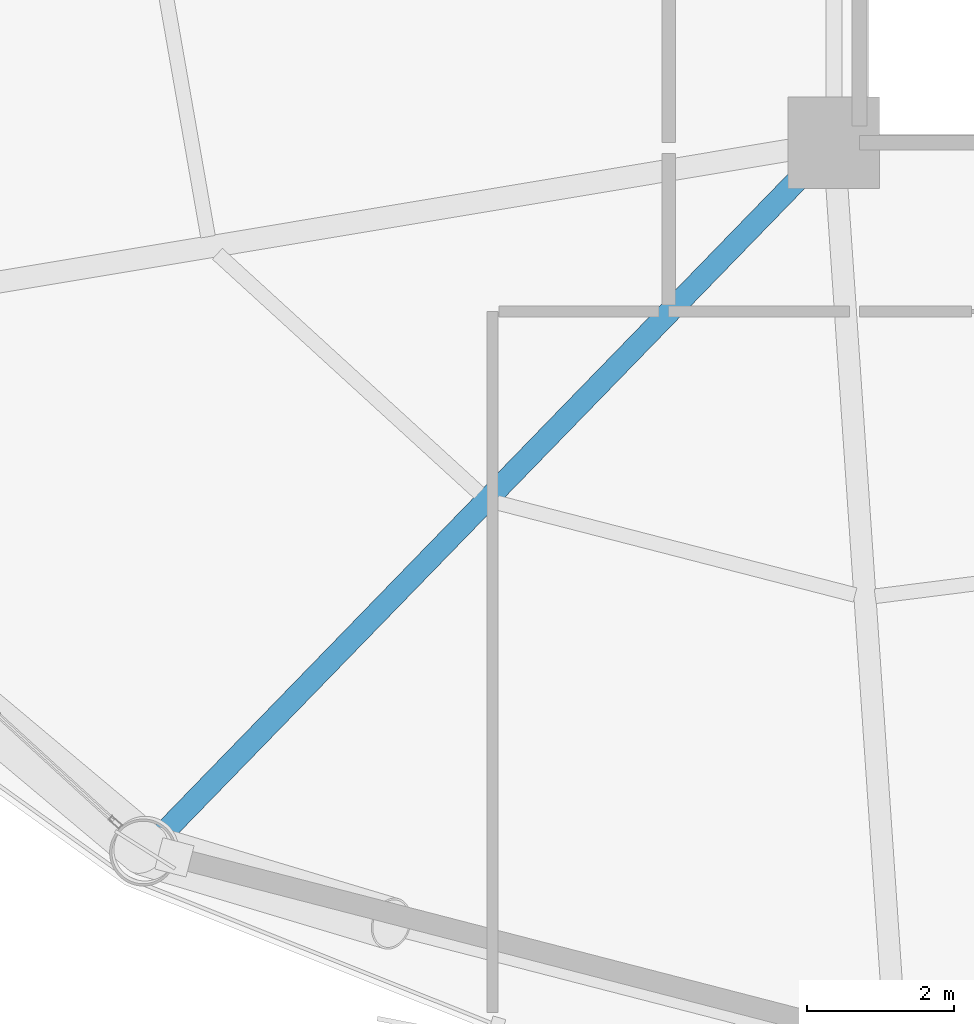
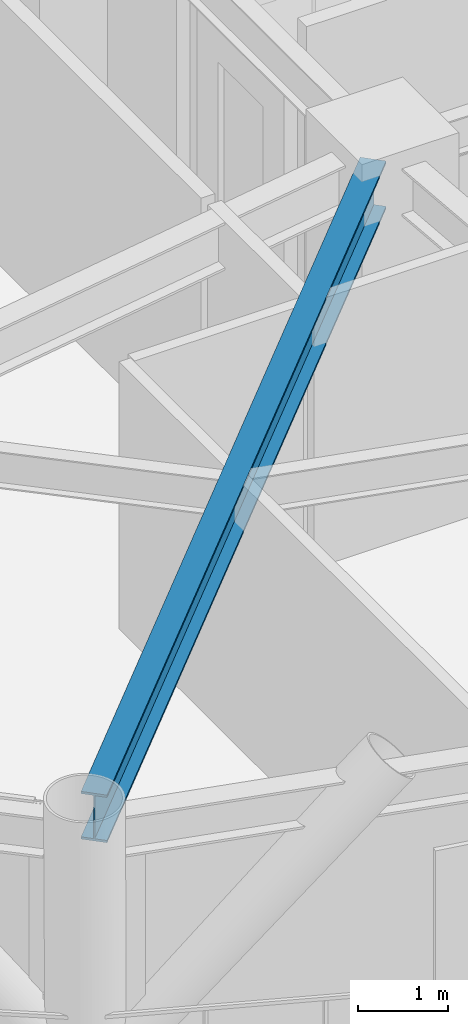
# One storey, part 4 of 25: 1 beam.
"""IFC4 building model written with IfcOpenShell, lengths in metres."""

from ifc_helpers import new_model, si_unit, direction, frame, origin, origin_2d, place, context, subcontext, project, spatial, i_section, extrude, material, material_profile, profile_set, type_object, element, save


model = new_model("IFC4")

# Units and contexts
model_context = context("Model", 3, precision=1e-05, world=origin(), true_north=direction((0.0, 1.0)))
body_context = subcontext(model_context, "Body", "Model", "MODEL_VIEW")
ifc_project = project(units=[si_unit("LENGTHUNIT", "METRE"), si_unit("AREAUNIT", "SQUARE_METRE"), si_unit("VOLUMEUNIT", "CUBIC_METRE"), si_unit("PLANEANGLEUNIT", "RADIAN"), si_unit("MASSUNIT", "GRAM", prefix="KILO")], contexts=[model_context])

# Site, building, storey
site_placement = place(None, origin())
site = spatial("IfcSite", under=ifc_project, at=site_placement, CompositionType="ELEMENT")
building_placement = place(site_placement, origin())
building = spatial("IfcBuilding", under=site, at=building_placement, Name="Varnakorn Sky Granary", CompositionType="ELEMENT")
storey_placement = place(building_placement, frame((0.0, 0.0, 39.300048828125)))
storey = spatial("IfcBuildingStorey", under=building, at=storey_placement, Name="L09", CompositionType="ELEMENT", Elevation=39.300048828125)

# Beam
ifc_material = material(Name="Steel S355JR", Category="steel")
ifc_material_profile = material_profile(ifc_material, i_section(OverallWidth=0.300048828125, OverallDepth=0.64990234375, WebThickness=0.01611328125, FlangeThickness=0.031005859375, at=origin_2d()), Name="HE 650 B")
ifc_profile_set = profile_set([ifc_material_profile], Name="Steel S355JR")
beam_type = type_object("IfcBeamType", Name="BM-RAD-Z1", PredefinedType="BEAM", material=ifc_profile_set)
beam_placement = place(storey_placement, frame((-2.642578125, -6.9013671875, 3.31494140625), z_axis=(-0.696727631453, -0.717335770452, 0.0), x_axis=(0.717335770452, -0.696727631453, 0.0)))
element("IfcBeam", 1, at=beam_placement, inside=storey, type_object=beam_type, Name="Radial Floor Girder RG09 L09", PredefinedType="BEAM", context=body_context, shape_type="SweptSolid", body=[
    extrude(i_section(OverallWidth=0.300048828125, OverallDepth=0.64990234375, WebThickness=0.01611328125, FlangeThickness=0.031005859375, at=origin_2d()), origin(), (0.0, 0.0, 1.0), 12.7353515625),
])

save(model, "model.ifc")
